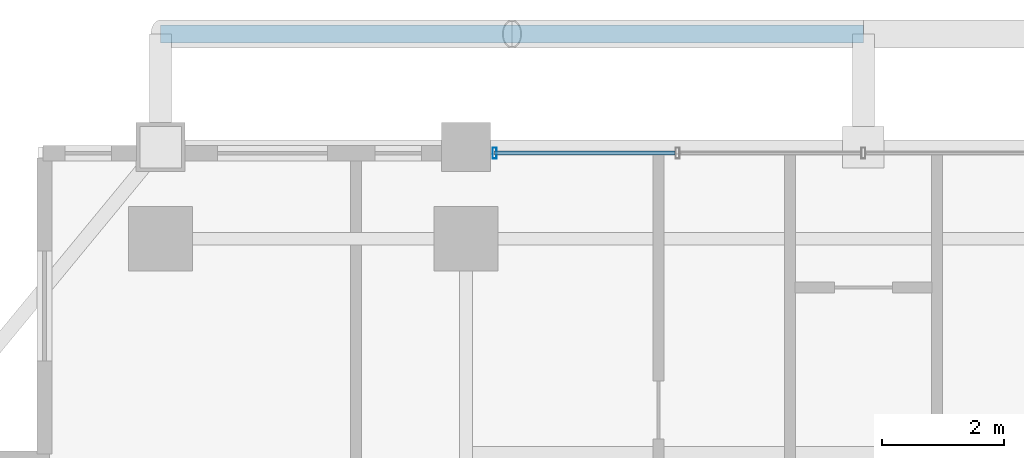
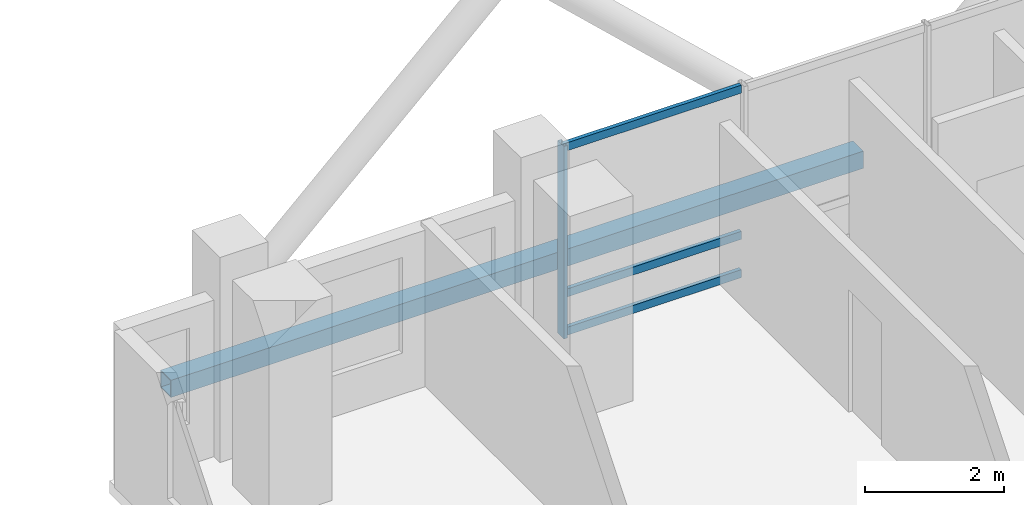
# One storey, part 15 of 26: 5 members, 1 element without a shape of its own.
"""IFC4 building model written with IfcOpenShell, lengths in metres."""

from ifc_helpers import new_model, si_unit, direction, frame, origin, origin_2d, place, context, subcontext, project, spatial, hollow_rectangle, extrude, material, layer, layer_set, material_profile, profile_set, type_object, element, aggregate, save


model = new_model("IFC4")

# Units and contexts
model_context = context("Model", 3, precision=1e-05, world=origin(), true_north=direction((0.0, 1.0)))
body_context = subcontext(model_context, "Body", "Model", "MODEL_VIEW")
ifc_project = project(units=[si_unit("LENGTHUNIT", "METRE"), si_unit("AREAUNIT", "SQUARE_METRE"), si_unit("VOLUMEUNIT", "CUBIC_METRE"), si_unit("PLANEANGLEUNIT", "RADIAN"), si_unit("MASSUNIT", "GRAM", prefix="KILO")], contexts=[model_context])

# Site, building, storey
site_placement = place(None, origin())
site = spatial("IfcSite", under=ifc_project, at=site_placement, CompositionType="ELEMENT")
building_placement = place(site_placement, origin())
building = spatial("IfcBuilding", under=site, at=building_placement, Name="Barlavira Tower and Art Museum", CompositionType="ELEMENT")
storey_placement = place(building_placement, frame((0.0, 0.0, 176.39990234375)))
storey = spatial("IfcBuildingStorey", under=building, at=storey_placement, Name="L45", CompositionType="ELEMENT", Elevation=176.39990234375)

# Curtain wall, members
ifc_material_1 = material(Name="Low-iron coastal laminated glass", Category="glass")
ifc_layer = layer(ifc_material_1, 0.199951171875, Name="Low-iron coastal laminated glass")
ifc_layer_set = layer_set([ifc_layer], Name="Low-iron coastal laminated glass")
curtain_wall_type = type_object("IfcCurtainWallType", Name="Pale-Metal Unitised Curtain Wall Zone 3", PredefinedType="NOTDEFINED", material=ifc_layer_set)
curtain_wall_placement = place(storey_placement, origin())
curtain_wall = element("IfcCurtainWall", 1, at=curtain_wall_placement, inside=storey, type_object=curtain_wall_type, Name="L45 Curtain Wall CW3-L45-N-B3", PredefinedType="NOTDEFINED")
ifc_material_2 = material(Name="Pale anodised aluminium", Category="aluminium")
ifc_material_profile_1 = material_profile(ifc_material_2, hollow_rectangle(XDim=0.06494140625, YDim=0.179931640625, WallThickness=0.00390625, at=origin_2d()), Name="ALU-MULL 65x180x4")
ifc_profile_set_1 = profile_set([ifc_material_profile_1], Name="Pale anodised aluminium")
member_type_1 = type_object("IfcMemberType", Name="Curtain Wall Pale-Metal Mullion 65x180", PredefinedType="MULLION", material=ifc_profile_set_1)
member_1_placement = place(storey_placement, frame((-6.034912109375, 21.39990234375, 0.0), z_axis=(0.0, 0.0, 1.0), x_axis=(-1.0, 0.0, 0.0)))
member_1 = element("IfcMember", 2, at=member_1_placement, type_object=member_type_1, Name="CW3-L45-N-B3 Mullion 4", PredefinedType="MULLION", context=body_context, shape_type="SweptSolid", body=[
    extrude(hollow_rectangle(XDim=0.06494140625, YDim=0.179931640625, WallThickness=0.00390625, at=origin_2d()), origin(), (0.0, 0.0, 1.0), 3.380126953125),
])
ifc_material_profile_2 = material_profile(ifc_material_2, hollow_rectangle(XDim=0.06494140625, YDim=0.139892578125, WallThickness=0.00390625, at=origin_2d()), Name="ALU-TRAN 65x140x4")
ifc_profile_set_2 = profile_set([ifc_material_profile_2], Name="Pale anodised aluminium")
member_type_2 = type_object("IfcMemberType", Name="Curtain Wall Pale-Metal Transom 65x140", PredefinedType="USERDEFINED", material=ifc_profile_set_2)
member_2_placement = place(storey_placement, frame((-3.0849609375, 21.39990234375, 0.070068359375), z_axis=(-1.0, 0.0, 0.0), x_axis=(0.0, -1.0, 0.0)))
member_2 = element("IfcMember", 3, at=member_2_placement, type_object=member_type_2, Name="CW3-L45-N-B3 Transom 3.1", ObjectType="TRANSOM", PredefinedType="USERDEFINED", context=body_context, shape_type="SweptSolid", body=[
    extrude(hollow_rectangle(XDim=0.06494140625, YDim=0.139892578125, WallThickness=0.00390625, at=origin_2d()), origin(), (0.0, 0.0, 1.0), 2.949951171875),
])
member_3_placement = place(storey_placement, frame((-3.0849609375, 21.39990234375, 0.744140625), z_axis=(-1.0, 0.0, 0.0), x_axis=(0.0, -1.0, 0.0)))
member_3 = element("IfcMember", 4, at=member_3_placement, type_object=member_type_2, Name="CW3-L45-N-B3 Transom 3.2", ObjectType="TRANSOM", PredefinedType="USERDEFINED", context=body_context, shape_type="SweptSolid", body=[
    extrude(hollow_rectangle(XDim=0.06494140625, YDim=0.139892578125, WallThickness=0.00390625, at=origin_2d()), origin(), (0.0, 0.0, 1.0), 2.949951171875),
])
member_4_placement = place(storey_placement, frame((-3.0849609375, 21.39990234375, 3.31005859375), z_axis=(-1.0, 0.0, 0.0), x_axis=(0.0, -1.0, 0.0)))
member_4 = element("IfcMember", 5, at=member_4_placement, type_object=member_type_2, Name="CW3-L45-N-B3 Transom 3.3", ObjectType="TRANSOM", PredefinedType="USERDEFINED", context=body_context, shape_type="SweptSolid", body=[
    extrude(hollow_rectangle(XDim=0.06494140625, YDim=0.139892578125, WallThickness=0.00390625, at=origin_2d()), origin(), (0.0, 0.0, 1.0), 2.949951171875),
])
aggregate(curtain_wall, [member_1, member_2, member_3, member_4])

# Member
ifc_material_3 = material(Name="Steel S355", Category="steel")
ifc_material_profile_3 = material_profile(ifc_material_3, hollow_rectangle(XDim=0.300048828125, YDim=0.300048828125, WallThickness=0.01611328125, at=origin_2d()), Name="SHS 300x300x16.0")
ifc_profile_set_3 = profile_set([ifc_material_profile_3], Name="Steel S355")
member_type_3 = type_object("IfcMemberType", Name="Pale-Metal Upper Ring Strut SHS 300x300x16 Steel S355", PredefinedType="STRUT", material=ifc_profile_set_3)
member_5_placement = place(storey_placement, frame((-11.5, 23.35009765625, -0.119873046875), z_axis=(1.0, 0.0, 0.0), x_axis=(0.0, 1.0, 0.0)))
element("IfcMember", 6, at=member_5_placement, inside=storey, type_object=member_type_3, Name="L45 Exoskeleton Ring Strut N", PredefinedType="STRUT", context=body_context, shape_type="SweptSolid", body=[
    extrude(hollow_rectangle(XDim=0.300048828125, YDim=0.300048828125, WallThickness=0.01611328125, at=origin_2d()), origin(), (0.0, 0.0, 1.0), 11.5),
])

save(model, "model.ifc")
